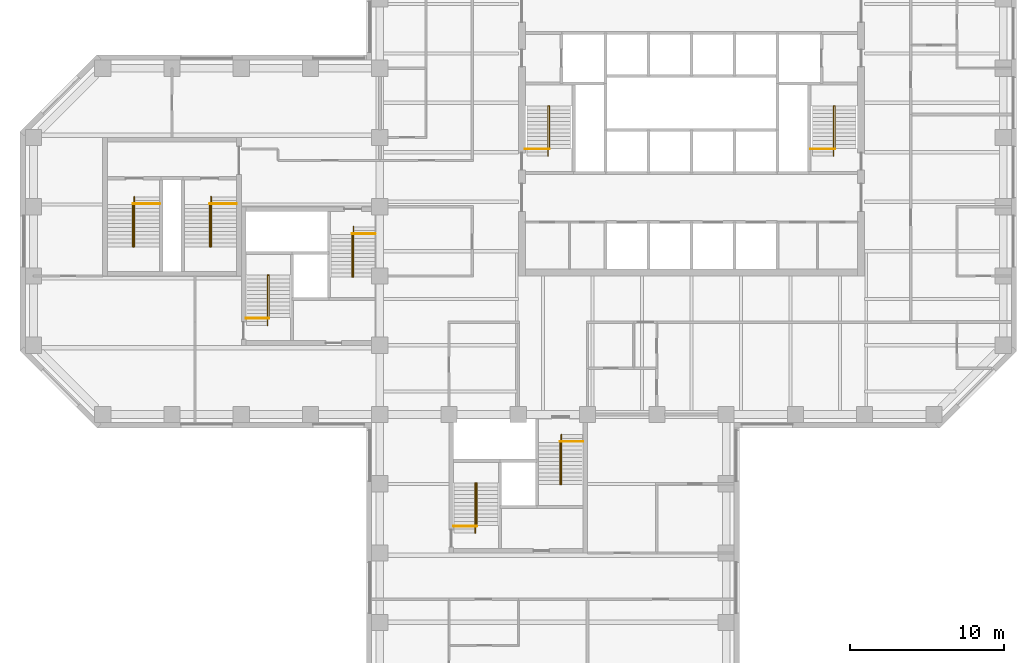
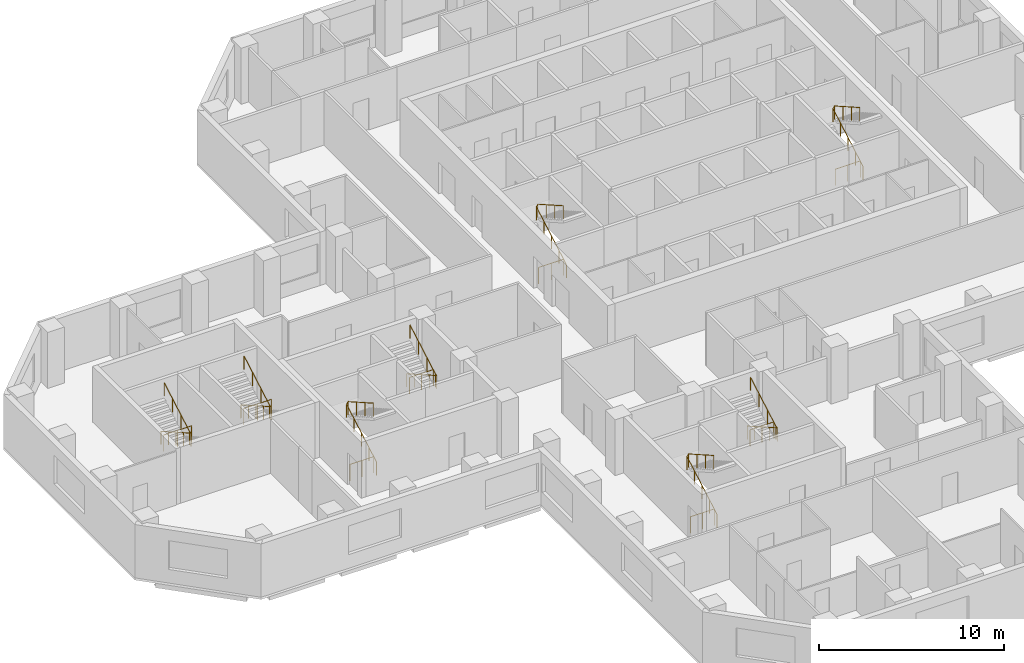
# One storey, part 11 of 11: 16 railings.
"""IFC4 building model written with IfcOpenShell, lengths in metres."""

from ifc_helpers import new_model, si_unit, direction, frame, origin, origin_2d, place, context, subcontext, project, spatial, circle, extrude, material, type_object, element, save


model = new_model("IFC4")

# Units and contexts
model_context = context("Model", 3, precision=1e-05, world=origin(), true_north=direction((0.0, 1.0)))
body_context = subcontext(model_context, "Body", "Model", "MODEL_VIEW")
ifc_project = project(units=[si_unit("LENGTHUNIT", "METRE"), si_unit("AREAUNIT", "SQUARE_METRE"), si_unit("VOLUMEUNIT", "CUBIC_METRE"), si_unit("PLANEANGLEUNIT", "RADIAN"), si_unit("MASSUNIT", "GRAM", prefix="KILO")], contexts=[model_context])

# Site, building, storey
site_placement = place(None, origin())
site = spatial("IfcSite", under=ifc_project, at=site_placement, CompositionType="ELEMENT")
building_placement = place(site_placement, origin())
building = spatial("IfcBuilding", under=site, at=building_placement, Name="Quoin Convention Tower", CompositionType="ELEMENT")
storey_placement = place(building_placement, frame((0.0, 0.0, 115.89990234375)))
storey = spatial("IfcBuildingStorey", under=building, at=storey_placement, Name="L30", CompositionType="ELEMENT", Elevation=115.89990234375)

# Railings
ifc_material = material(Name="Stainless steel", Category="steel")
railing_type_1 = type_object("IfcRailingType", Name="Stair handrail 900", PredefinedType="HANDRAIL", material=ifc_material)
railing_1_placement = place(storey_placement, frame((46.929931640625, 57.300048828125, 0.142333984375)))
element("IfcRailing", 1, at=railing_1_placement, inside=storey, type_object=railing_type_1, Name="SD1 handrail 1", PredefinedType="HANDRAIL", context=body_context, shape_type="SweptSolid", body=[
    extrude(circle(Radius=0.02392578125, at=origin_2d()), frame((0.0, 0.0, 0.8759765625), z_axis=(0.0, 0.869053504361, 0.494718108177), x_axis=(-1.0, 0.0, 0.0)), (0.0, 0.0, 1.0), 3.73974609375),
    extrude(circle(Radius=0.02392578125, at=origin_2d()), frame((0.0, 3.25, 2.72607421875), z_axis=(0.53481069233, 0.0, 0.844971906852), x_axis=(0.0, 1.0, 0.0)), (0.0, 0.0, 1.0), 0.16845703125),
    extrude(circle(Radius=0.02392578125, at=origin_2d()), frame((0.090087890625, 3.25, 2.8681640625), z_axis=(0.0, -0.869058607571, 0.494709143443), x_axis=(1.0, 0.0, 0.0)), (0.0, 0.0, 1.0), 3.164306640625),
    extrude(circle(Radius=0.02099609375, at=origin_2d()), origin(), (0.0, 0.0, 1.0), 0.851806640625),
    extrude(circle(Radius=0.02099609375, at=origin_2d()), frame((0.0, 0.8125, 0.46240234375)), (0.0, 0.0, 1.0), 0.851806640625),
    extrude(circle(Radius=0.02099609375, at=origin_2d()), frame((0.0, 1.625, 0.925048828125)), (0.0, 0.0, 1.0), 0.851806640625),
    extrude(circle(Radius=0.02099609375, at=origin_2d()), frame((0.0, 2.4375, 1.3876953125)), (0.0, 0.0, 1.0), 0.851806640625),
    extrude(circle(Radius=0.02099609375, at=origin_2d()), frame((0.0, 3.25, 1.85009765625)), (0.0, 0.0, 1.0), 0.851806640625),
    extrude(circle(Radius=0.02099609375, at=origin_2d()), frame((0.090087890625, 3.25, 1.992431640625)), (0.0, 0.0, 1.0), 0.851806640625),
    extrude(circle(Radius=0.02099609375, at=origin_2d()), frame((0.090087890625, 2.333251953125, 2.51416015625)), (0.0, 0.0, 1.0), 0.851806640625),
    extrude(circle(Radius=0.02099609375, at=origin_2d()), frame((0.090087890625, 1.416748046875, 3.0361328125)), (0.0, 0.0, 1.0), 0.851806640625),
    extrude(circle(Radius=0.02099609375, at=origin_2d()), frame((0.090087890625, 0.5, 3.557861328125)), (0.0, 0.0, 1.0), 0.851806640625),
])
railing_2_placement = place(storey_placement, frame((65.47998046875, 57.300048828125, 0.142333984375)))
element("IfcRailing", 2, at=railing_2_placement, inside=storey, type_object=railing_type_1, Name="SD2 handrail 1", PredefinedType="HANDRAIL", context=body_context, shape_type="SweptSolid", body=[
    extrude(circle(Radius=0.02392578125, at=origin_2d()), frame((0.0, 0.0, 0.8759765625), z_axis=(0.0, 0.869053504361, 0.494718108177), x_axis=(-1.0, 0.0, 0.0)), (0.0, 0.0, 1.0), 3.73974609375),
    extrude(circle(Radius=0.02392578125, at=origin_2d()), frame((0.0, 3.25, 2.72607421875), z_axis=(0.53481069233, 0.0, 0.844971906852), x_axis=(0.0, 1.0, 0.0)), (0.0, 0.0, 1.0), 0.16845703125),
    extrude(circle(Radius=0.02392578125, at=origin_2d()), frame((0.090087890625, 3.25, 2.8681640625), z_axis=(0.0, -0.869058607571, 0.494709143443), x_axis=(1.0, 0.0, 0.0)), (0.0, 0.0, 1.0), 3.164306640625),
    extrude(circle(Radius=0.02099609375, at=origin_2d()), origin(), (0.0, 0.0, 1.0), 0.851806640625),
    extrude(circle(Radius=0.02099609375, at=origin_2d()), frame((0.0, 0.8125, 0.46240234375)), (0.0, 0.0, 1.0), 0.851806640625),
    extrude(circle(Radius=0.02099609375, at=origin_2d()), frame((0.0, 1.625, 0.925048828125)), (0.0, 0.0, 1.0), 0.851806640625),
    extrude(circle(Radius=0.02099609375, at=origin_2d()), frame((0.0, 2.4375, 1.3876953125)), (0.0, 0.0, 1.0), 0.851806640625),
    extrude(circle(Radius=0.02099609375, at=origin_2d()), frame((0.0, 3.25, 1.85009765625)), (0.0, 0.0, 1.0), 0.851806640625),
    extrude(circle(Radius=0.02099609375, at=origin_2d()), frame((0.090087890625, 3.25, 1.992431640625)), (0.0, 0.0, 1.0), 0.851806640625),
    extrude(circle(Radius=0.02099609375, at=origin_2d()), frame((0.090087890625, 2.333251953125, 2.51416015625)), (0.0, 0.0, 1.0), 0.851806640625),
    extrude(circle(Radius=0.02099609375, at=origin_2d()), frame((0.090087890625, 1.416748046875, 3.0361328125)), (0.0, 0.0, 1.0), 0.851806640625),
    extrude(circle(Radius=0.02099609375, at=origin_2d()), frame((0.090087890625, 0.5, 3.557861328125)), (0.0, 0.0, 1.0), 0.851806640625),
])
railing_3_placement = place(storey_placement, frame((28.705078125, 46.300048828125, 0.142333984375)))
element("IfcRailing", 3, at=railing_3_placement, inside=storey, type_object=railing_type_1, Name="SD3 handrail 1", PredefinedType="HANDRAIL", context=body_context, shape_type="SweptSolid", body=[
    extrude(circle(Radius=0.02392578125, at=origin_2d()), frame((0.0, 0.0, 0.8759765625), z_axis=(0.0, 0.869053504361, 0.494718108177), x_axis=(-1.0, 0.0, 0.0)), (0.0, 0.0, 1.0), 3.73974609375),
    extrude(circle(Radius=0.02392578125, at=origin_2d()), frame((0.0, 3.25, 2.72607421875), z_axis=(0.533774684331, 0.0, 0.845626741753), x_axis=(0.0, 1.0, 0.0)), (0.0, 0.0, 1.0), 0.168212890625),
    extrude(circle(Radius=0.02392578125, at=origin_2d()), frame((0.08984375, 3.25, 2.8681640625), z_axis=(0.0, -0.869058607571, 0.494709143443), x_axis=(1.0, 0.0, 0.0)), (0.0, 0.0, 1.0), 3.164306640625),
    extrude(circle(Radius=0.02099609375, at=origin_2d()), origin(), (0.0, 0.0, 1.0), 0.851806640625),
    extrude(circle(Radius=0.02099609375, at=origin_2d()), frame((0.0, 0.8125, 0.46240234375)), (0.0, 0.0, 1.0), 0.851806640625),
    extrude(circle(Radius=0.02099609375, at=origin_2d()), frame((0.0, 1.625, 0.925048828125)), (0.0, 0.0, 1.0), 0.851806640625),
    extrude(circle(Radius=0.02099609375, at=origin_2d()), frame((0.0, 2.4375, 1.3876953125)), (0.0, 0.0, 1.0), 0.851806640625),
    extrude(circle(Radius=0.02099609375, at=origin_2d()), frame((0.0, 3.25, 1.85009765625)), (0.0, 0.0, 1.0), 0.851806640625),
    extrude(circle(Radius=0.02099609375, at=origin_2d()), frame((0.08984375, 3.25, 1.992431640625)), (0.0, 0.0, 1.0), 0.851806640625),
    extrude(circle(Radius=0.02099609375, at=origin_2d()), frame((0.08984375, 2.333251953125, 2.51416015625)), (0.0, 0.0, 1.0), 0.851806640625),
    extrude(circle(Radius=0.02099609375, at=origin_2d()), frame((0.08984375, 1.416748046875, 3.0361328125)), (0.0, 0.0, 1.0), 0.851806640625),
    extrude(circle(Radius=0.02099609375, at=origin_2d()), frame((0.08984375, 0.5, 3.557861328125)), (0.0, 0.0, 1.0), 0.851806640625),
])
railing_4_placement = place(storey_placement, frame((34.294921875, 52.699951171875, 0.142333984375)))
element("IfcRailing", 4, at=railing_4_placement, inside=storey, type_object=railing_type_1, Name="SD4 handrail 1", PredefinedType="HANDRAIL", context=body_context, shape_type="SweptSolid", body=[
    extrude(circle(Radius=0.02392578125, at=origin_2d()), frame((0.0, 0.0, 0.8759765625), z_axis=(0.0, -0.869053504361, 0.494718108177), x_axis=(1.0, 0.0, 0.0)), (0.0, 0.0, 1.0), 3.73974609375),
    extrude(circle(Radius=0.02392578125, at=origin_2d()), frame((0.0, -3.25, 2.72607421875), z_axis=(-0.533774684331, 0.0, 0.845626741753), x_axis=(0.0, -1.0, 0.0)), (0.0, 0.0, 1.0), 0.168212890625),
    extrude(circle(Radius=0.02392578125, at=origin_2d()), frame((-0.08984375, -3.25, 2.8681640625), z_axis=(0.0, 0.869058607571, 0.494709143443), x_axis=(-1.0, 0.0, 0.0)), (0.0, 0.0, 1.0), 3.164306640625),
    extrude(circle(Radius=0.02099609375, at=origin_2d()), origin(), (0.0, 0.0, 1.0), 0.851806640625),
    extrude(circle(Radius=0.02099609375, at=origin_2d()), frame((0.0, -0.8125, 0.46240234375)), (0.0, 0.0, 1.0), 0.851806640625),
    extrude(circle(Radius=0.02099609375, at=origin_2d()), frame((0.0, -1.625, 0.925048828125)), (0.0, 0.0, 1.0), 0.851806640625),
    extrude(circle(Radius=0.02099609375, at=origin_2d()), frame((0.0, -2.4375, 1.3876953125)), (0.0, 0.0, 1.0), 0.851806640625),
    extrude(circle(Radius=0.02099609375, at=origin_2d()), frame((0.0, -3.25, 1.85009765625)), (0.0, 0.0, 1.0), 0.851806640625),
    extrude(circle(Radius=0.02099609375, at=origin_2d()), frame((-0.08984375, -3.25, 1.992431640625)), (0.0, 0.0, 1.0), 0.851806640625),
    extrude(circle(Radius=0.02099609375, at=origin_2d()), frame((-0.08984375, -2.333251953125, 2.51416015625)), (0.0, 0.0, 1.0), 0.851806640625),
    extrude(circle(Radius=0.02099609375, at=origin_2d()), frame((-0.08984375, -1.416748046875, 3.0361328125)), (0.0, 0.0, 1.0), 0.851806640625),
    extrude(circle(Radius=0.02099609375, at=origin_2d()), frame((-0.08984375, -0.5, 3.557861328125)), (0.0, 0.0, 1.0), 0.851806640625),
])
railing_5_placement = place(storey_placement, frame((42.205078125, 32.800048828125, 0.142333984375)))
element("IfcRailing", 5, at=railing_5_placement, inside=storey, type_object=railing_type_1, Name="SD5 handrail 1", PredefinedType="HANDRAIL", context=body_context, shape_type="SweptSolid", body=[
    extrude(circle(Radius=0.02392578125, at=origin_2d()), frame((0.0, 0.0, 0.8759765625), z_axis=(0.0, 0.869053504361, 0.494718108177), x_axis=(-1.0, 0.0, 0.0)), (0.0, 0.0, 1.0), 3.73974609375),
    extrude(circle(Radius=0.02392578125, at=origin_2d()), frame((0.0, 3.25, 2.72607421875), z_axis=(0.533774684331, 0.0, 0.845626741753), x_axis=(0.0, 1.0, 0.0)), (0.0, 0.0, 1.0), 0.168212890625),
    extrude(circle(Radius=0.02392578125, at=origin_2d()), frame((0.08984375, 3.25, 2.8681640625), z_axis=(0.0, -0.869058607571, 0.494709143443), x_axis=(1.0, 0.0, 0.0)), (0.0, 0.0, 1.0), 3.164306640625),
    extrude(circle(Radius=0.02099609375, at=origin_2d()), origin(), (0.0, 0.0, 1.0), 0.851806640625),
    extrude(circle(Radius=0.02099609375, at=origin_2d()), frame((0.0, 0.8125, 0.46240234375)), (0.0, 0.0, 1.0), 0.851806640625),
    extrude(circle(Radius=0.02099609375, at=origin_2d()), frame((0.0, 1.625, 0.925048828125)), (0.0, 0.0, 1.0), 0.851806640625),
    extrude(circle(Radius=0.02099609375, at=origin_2d()), frame((0.0, 2.4375, 1.3876953125)), (0.0, 0.0, 1.0), 0.851806640625),
    extrude(circle(Radius=0.02099609375, at=origin_2d()), frame((0.0, 3.25, 1.85009765625)), (0.0, 0.0, 1.0), 0.851806640625),
    extrude(circle(Radius=0.02099609375, at=origin_2d()), frame((0.08984375, 3.25, 1.992431640625)), (0.0, 0.0, 1.0), 0.851806640625),
    extrude(circle(Radius=0.02099609375, at=origin_2d()), frame((0.08984375, 2.333251953125, 2.51416015625)), (0.0, 0.0, 1.0), 0.851806640625),
    extrude(circle(Radius=0.02099609375, at=origin_2d()), frame((0.08984375, 1.416748046875, 3.0361328125)), (0.0, 0.0, 1.0), 0.851806640625),
    extrude(circle(Radius=0.02099609375, at=origin_2d()), frame((0.08984375, 0.5, 3.557861328125)), (0.0, 0.0, 1.0), 0.851806640625),
])
railing_6_placement = place(storey_placement, frame((47.794921875, 39.199951171875, 0.142333984375)))
element("IfcRailing", 6, at=railing_6_placement, inside=storey, type_object=railing_type_1, Name="SD6 handrail 1", PredefinedType="HANDRAIL", context=body_context, shape_type="SweptSolid", body=[
    extrude(circle(Radius=0.02392578125, at=origin_2d()), frame((0.0, 0.0, 0.8759765625), z_axis=(0.0, -0.869053504361, 0.494718108177), x_axis=(1.0, 0.0, 0.0)), (0.0, 0.0, 1.0), 3.73974609375),
    extrude(circle(Radius=0.02392578125, at=origin_2d()), frame((0.0, -3.25, 2.72607421875), z_axis=(-0.533774684331, 0.0, 0.845626741753), x_axis=(0.0, -1.0, 0.0)), (0.0, 0.0, 1.0), 0.168212890625),
    extrude(circle(Radius=0.02392578125, at=origin_2d()), frame((-0.08984375, -3.25, 2.8681640625), z_axis=(0.0, 0.869058607571, 0.494709143443), x_axis=(-1.0, 0.0, 0.0)), (0.0, 0.0, 1.0), 3.164306640625),
    extrude(circle(Radius=0.02099609375, at=origin_2d()), origin(), (0.0, 0.0, 1.0), 0.851806640625),
    extrude(circle(Radius=0.02099609375, at=origin_2d()), frame((0.0, -0.8125, 0.46240234375)), (0.0, 0.0, 1.0), 0.851806640625),
    extrude(circle(Radius=0.02099609375, at=origin_2d()), frame((0.0, -1.625, 0.925048828125)), (0.0, 0.0, 1.0), 0.851806640625),
    extrude(circle(Radius=0.02099609375, at=origin_2d()), frame((0.0, -2.4375, 1.3876953125)), (0.0, 0.0, 1.0), 0.851806640625),
    extrude(circle(Radius=0.02099609375, at=origin_2d()), frame((0.0, -3.25, 1.85009765625)), (0.0, 0.0, 1.0), 0.851806640625),
    extrude(circle(Radius=0.02099609375, at=origin_2d()), frame((-0.08984375, -3.25, 1.992431640625)), (0.0, 0.0, 1.0), 0.851806640625),
    extrude(circle(Radius=0.02099609375, at=origin_2d()), frame((-0.08984375, -2.333251953125, 2.51416015625)), (0.0, 0.0, 1.0), 0.851806640625),
    extrude(circle(Radius=0.02099609375, at=origin_2d()), frame((-0.08984375, -1.416748046875, 3.0361328125)), (0.0, 0.0, 1.0), 0.851806640625),
    extrude(circle(Radius=0.02099609375, at=origin_2d()), frame((-0.08984375, -0.5, 3.557861328125)), (0.0, 0.0, 1.0), 0.851806640625),
])
railing_7_placement = place(storey_placement, frame((20.044921875, 54.64990234375, 0.142333984375)))
element("IfcRailing", 7, at=railing_7_placement, inside=storey, type_object=railing_type_1, Name="SD11 handrail 1", PredefinedType="HANDRAIL", context=body_context, shape_type="SweptSolid", body=[
    extrude(circle(Radius=0.02392578125, at=origin_2d()), frame((0.0, 0.0, 0.8759765625), z_axis=(0.0, -0.869053504361, 0.494718108177), x_axis=(1.0, 0.0, 0.0)), (0.0, 0.0, 1.0), 3.73974609375),
    extrude(circle(Radius=0.02392578125, at=origin_2d()), frame((0.0, -3.25, 2.72607421875), z_axis=(-0.533774684331, 0.0, 0.845626741753), x_axis=(0.0, -1.0, 0.0)), (0.0, 0.0, 1.0), 0.168212890625),
    extrude(circle(Radius=0.02392578125, at=origin_2d()), frame((-0.08984375, -3.25, 2.8681640625), z_axis=(0.0, 0.869058607571, 0.494709143443), x_axis=(-1.0, 0.0, 0.0)), (0.0, 0.0, 1.0), 3.164306640625),
    extrude(circle(Radius=0.02099609375, at=origin_2d()), origin(), (0.0, 0.0, 1.0), 0.851806640625),
    extrude(circle(Radius=0.02099609375, at=origin_2d()), frame((0.0, -0.8125, 0.46240234375)), (0.0, 0.0, 1.0), 0.851806640625),
    extrude(circle(Radius=0.02099609375, at=origin_2d()), frame((0.0, -1.625, 0.925048828125)), (0.0, 0.0, 1.0), 0.851806640625),
    extrude(circle(Radius=0.02099609375, at=origin_2d()), frame((0.0, -2.4375, 1.3876953125)), (0.0, 0.0, 1.0), 0.851806640625),
    extrude(circle(Radius=0.02099609375, at=origin_2d()), frame((0.0, -3.25, 1.85009765625)), (0.0, 0.0, 1.0), 0.851806640625),
    extrude(circle(Radius=0.02099609375, at=origin_2d()), frame((-0.08984375, -3.25, 1.992431640625)), (0.0, 0.0, 1.0), 0.851806640625),
    extrude(circle(Radius=0.02099609375, at=origin_2d()), frame((-0.08984375, -2.333251953125, 2.51416015625)), (0.0, 0.0, 1.0), 0.851806640625),
    extrude(circle(Radius=0.02099609375, at=origin_2d()), frame((-0.08984375, -1.416748046875, 3.0361328125)), (0.0, 0.0, 1.0), 0.851806640625),
    extrude(circle(Radius=0.02099609375, at=origin_2d()), frame((-0.08984375, -0.5, 3.557861328125)), (0.0, 0.0, 1.0), 0.851806640625),
])
railing_8_placement = place(storey_placement, frame((25.044921875, 54.64990234375, 0.142333984375)))
element("IfcRailing", 8, at=railing_8_placement, inside=storey, type_object=railing_type_1, Name="SD12 handrail 1", PredefinedType="HANDRAIL", context=body_context, shape_type="SweptSolid", body=[
    extrude(circle(Radius=0.02392578125, at=origin_2d()), frame((0.0, 0.0, 0.8759765625), z_axis=(0.0, -0.869053504361, 0.494718108177), x_axis=(1.0, 0.0, 0.0)), (0.0, 0.0, 1.0), 3.73974609375),
    extrude(circle(Radius=0.02392578125, at=origin_2d()), frame((0.0, -3.25, 2.72607421875), z_axis=(-0.533774684331, 0.0, 0.845626741753), x_axis=(0.0, -1.0, 0.0)), (0.0, 0.0, 1.0), 0.168212890625),
    extrude(circle(Radius=0.02392578125, at=origin_2d()), frame((-0.08984375, -3.25, 2.8681640625), z_axis=(0.0, 0.869058607571, 0.494709143443), x_axis=(-1.0, 0.0, 0.0)), (0.0, 0.0, 1.0), 3.164306640625),
    extrude(circle(Radius=0.02099609375, at=origin_2d()), origin(), (0.0, 0.0, 1.0), 0.851806640625),
    extrude(circle(Radius=0.02099609375, at=origin_2d()), frame((0.0, -0.8125, 0.46240234375)), (0.0, 0.0, 1.0), 0.851806640625),
    extrude(circle(Radius=0.02099609375, at=origin_2d()), frame((0.0, -1.625, 0.925048828125)), (0.0, 0.0, 1.0), 0.851806640625),
    extrude(circle(Radius=0.02099609375, at=origin_2d()), frame((0.0, -2.4375, 1.3876953125)), (0.0, 0.0, 1.0), 0.851806640625),
    extrude(circle(Radius=0.02099609375, at=origin_2d()), frame((0.0, -3.25, 1.85009765625)), (0.0, 0.0, 1.0), 0.851806640625),
    extrude(circle(Radius=0.02099609375, at=origin_2d()), frame((-0.08984375, -3.25, 1.992431640625)), (0.0, 0.0, 1.0), 0.851806640625),
    extrude(circle(Radius=0.02099609375, at=origin_2d()), frame((-0.08984375, -2.333251953125, 2.51416015625)), (0.0, 0.0, 1.0), 0.851806640625),
    extrude(circle(Radius=0.02099609375, at=origin_2d()), frame((-0.08984375, -1.416748046875, 3.0361328125)), (0.0, 0.0, 1.0), 0.851806640625),
    extrude(circle(Radius=0.02099609375, at=origin_2d()), frame((-0.08984375, -0.5, 3.557861328125)), (0.0, 0.0, 1.0), 0.851806640625),
])
railing_type_2 = type_object("IfcRailingType", Name="Stair top guard 1100", PredefinedType="GUARDRAIL", material=ifc_material)
for number, where, name in (
    (9, (45.449951171875, 57.75, 0.0), "SD1 top guard"),
    (10, (64.0, 57.75, 0.0), "SD2 top guard"),
):
    element("IfcRailing", number, at=place(storey_placement, frame(where)), inside=storey, type_object=railing_type_2, Name=name, PredefinedType="GUARDRAIL", context=body_context, shape_type="SweptSolid", body=[
        extrude(circle(Radius=0.02392578125, at=origin_2d()), frame((0.0, 0.0, 1.076171875), z_axis=(1.0, 0.0, 0.0), x_axis=(0.0, 1.0, 0.0)), (0.0, 0.0, 1.0), 1.570068359375),
        extrude(circle(Radius=0.02099609375, at=origin_2d()), origin(), (0.0, 0.0, 1.0), 1.052001953125),
        extrude(circle(Radius=0.02099609375, at=origin_2d()), frame((0.78515625, 0.0, 0.0)), (0.0, 0.0, 1.0), 1.052001953125),
        extrude(circle(Radius=0.02099609375, at=origin_2d()), frame((1.570068359375, 0.0, 0.0)), (0.0, 0.0, 1.0), 1.052001953125),
    ])
railing_9_placement = place(storey_placement, frame((27.300048828125, 46.75, 0.0)))
element("IfcRailing", 11, at=railing_9_placement, inside=storey, type_object=railing_type_2, Name="SD3 top guard", PredefinedType="GUARDRAIL", context=body_context, shape_type="SweptSolid", body=[
    extrude(circle(Radius=0.02392578125, at=origin_2d()), frame((0.0, 0.0, 1.076171875), z_axis=(1.0, 0.0, 0.0), x_axis=(0.0, 1.0, 0.0)), (0.0, 0.0, 1.0), 1.494873046875),
    extrude(circle(Radius=0.02099609375, at=origin_2d()), origin(), (0.0, 0.0, 1.0), 1.052001953125),
    extrude(circle(Radius=0.02099609375, at=origin_2d()), frame((0.74755859375, 0.0, 0.0)), (0.0, 0.0, 1.0), 1.052001953125),
    extrude(circle(Radius=0.02099609375, at=origin_2d()), frame((1.494873046875, 0.0, 0.0)), (0.0, 0.0, 1.0), 1.052001953125),
])
railing_10_placement = place(storey_placement, frame((35.699951171875, 52.25, 0.0)))
element("IfcRailing", 12, at=railing_10_placement, inside=storey, type_object=railing_type_2, Name="SD4 top guard", PredefinedType="GUARDRAIL", context=body_context, shape_type="SweptSolid", body=[
    extrude(circle(Radius=0.02392578125, at=origin_2d()), frame((0.0, 0.0, 1.076171875), z_axis=(-1.0, 0.0, 0.0), x_axis=(0.0, -1.0, 0.0)), (0.0, 0.0, 1.0), 1.494873046875),
    extrude(circle(Radius=0.02099609375, at=origin_2d()), origin(), (0.0, 0.0, 1.0), 1.052001953125),
    extrude(circle(Radius=0.02099609375, at=origin_2d()), frame((-0.74755859375, 0.0, 0.0)), (0.0, 0.0, 1.0), 1.052001953125),
    extrude(circle(Radius=0.02099609375, at=origin_2d()), frame((-1.494873046875, 0.0, 0.0)), (0.0, 0.0, 1.0), 1.052001953125),
])
railing_11_placement = place(storey_placement, frame((40.800048828125, 33.25, 0.0)))
element("IfcRailing", 13, at=railing_11_placement, inside=storey, type_object=railing_type_2, Name="SD5 top guard", PredefinedType="GUARDRAIL", context=body_context, shape_type="SweptSolid", body=[
    extrude(circle(Radius=0.02392578125, at=origin_2d()), frame((0.0, 0.0, 1.076171875), z_axis=(1.0, 0.0, 0.0), x_axis=(0.0, 1.0, 0.0)), (0.0, 0.0, 1.0), 1.494873046875),
    extrude(circle(Radius=0.02099609375, at=origin_2d()), origin(), (0.0, 0.0, 1.0), 1.052001953125),
    extrude(circle(Radius=0.02099609375, at=origin_2d()), frame((0.74755859375, 0.0, 0.0)), (0.0, 0.0, 1.0), 1.052001953125),
    extrude(circle(Radius=0.02099609375, at=origin_2d()), frame((1.494873046875, 0.0, 0.0)), (0.0, 0.0, 1.0), 1.052001953125),
])
railing_12_placement = place(storey_placement, frame((49.199951171875, 38.75, 0.0)))
element("IfcRailing", 14, at=railing_12_placement, inside=storey, type_object=railing_type_2, Name="SD6 top guard", PredefinedType="GUARDRAIL", context=body_context, shape_type="SweptSolid", body=[
    extrude(circle(Radius=0.02392578125, at=origin_2d()), frame((0.0, 0.0, 1.076171875), z_axis=(-1.0, 0.0, 0.0), x_axis=(0.0, -1.0, 0.0)), (0.0, 0.0, 1.0), 1.494873046875),
    extrude(circle(Radius=0.02099609375, at=origin_2d()), origin(), (0.0, 0.0, 1.0), 1.052001953125),
    extrude(circle(Radius=0.02099609375, at=origin_2d()), frame((-0.74755859375, 0.0, 0.0)), (0.0, 0.0, 1.0), 1.052001953125),
    extrude(circle(Radius=0.02099609375, at=origin_2d()), frame((-1.494873046875, 0.0, 0.0)), (0.0, 0.0, 1.0), 1.052001953125),
])
for number, where, name in (
    (15, (21.699951171875, 54.199951171875, 0.0), "SD11 top guard"),
    (16, (26.699951171875, 54.199951171875, 0.0), "SD12 top guard"),
):
    element("IfcRailing", number, at=place(storey_placement, frame(where)), inside=storey, type_object=railing_type_2, Name=name, PredefinedType="GUARDRAIL", context=body_context, shape_type="SweptSolid", body=[
        extrude(circle(Radius=0.02392578125, at=origin_2d()), frame((0.0, 0.0, 1.076171875), z_axis=(-1.0, 0.0, 0.0), x_axis=(0.0, -1.0, 0.0)), (0.0, 0.0, 1.0), 1.744873046875),
        extrude(circle(Radius=0.02099609375, at=origin_2d()), origin(), (0.0, 0.0, 1.0), 1.052001953125),
        extrude(circle(Radius=0.02099609375, at=origin_2d()), frame((-0.87255859375, 0.0, 0.0)), (0.0, 0.0, 1.0), 1.052001953125),
        extrude(circle(Radius=0.02099609375, at=origin_2d()), frame((-1.744873046875, 0.0, 0.0)), (0.0, 0.0, 1.0), 1.052001953125),
    ])

save(model, "model.ifc")
